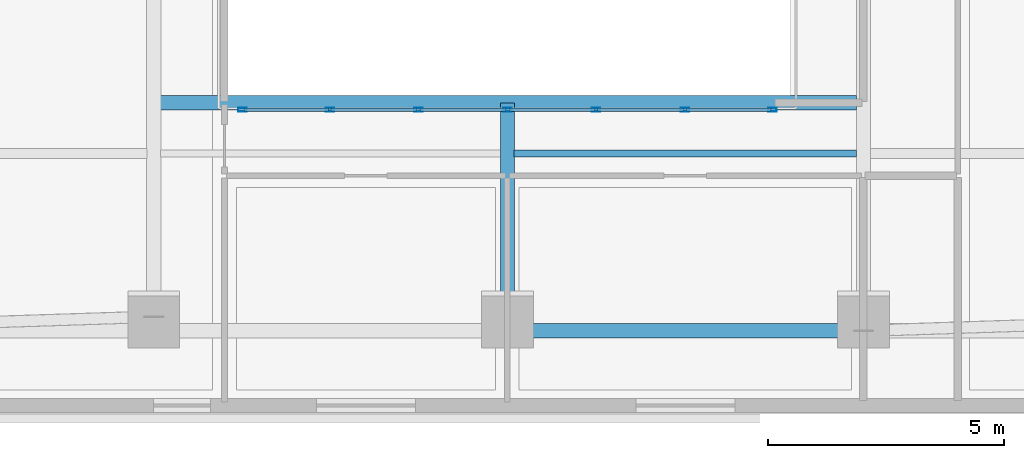
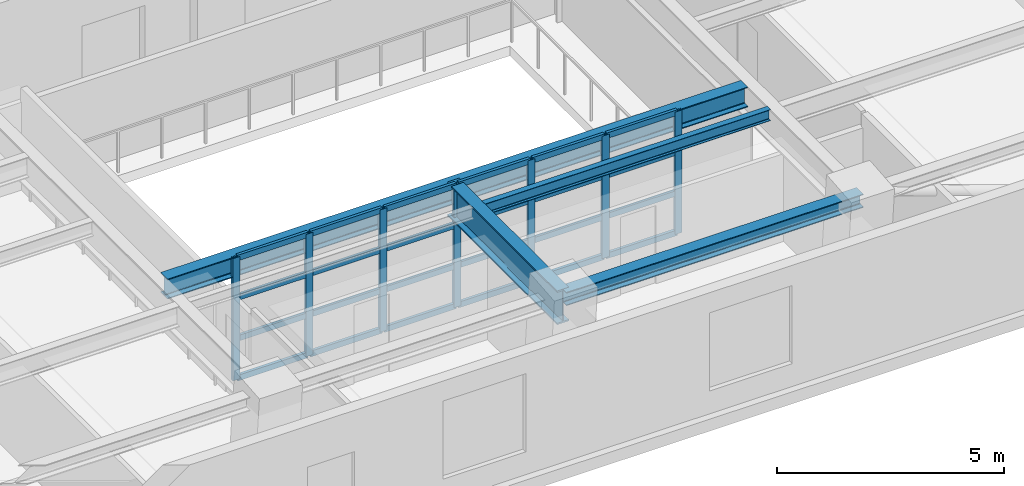
# One storey, part 2 of 11: 31 members, 4 beams, 1 element without a shape of its own.
"""IFC4 building model written with IfcOpenShell, lengths in metres."""

from ifc_helpers import new_model, si_unit, direction, frame, origin, origin_2d, place, context, subcontext, project, spatial, hollow_rectangle, i_section, extrude, material, layer, layer_set, material_profile, profile_set, type_object, element, aggregate, save


model = new_model("IFC4")

# Units and contexts
model_context = context("Model", 3, precision=1e-05, world=origin(), true_north=direction((0.0, 1.0)))
body_context = subcontext(model_context, "Body", "Model", "MODEL_VIEW")
ifc_project = project(units=[si_unit("LENGTHUNIT", "METRE"), si_unit("AREAUNIT", "SQUARE_METRE"), si_unit("VOLUMEUNIT", "CUBIC_METRE"), si_unit("PLANEANGLEUNIT", "RADIAN"), si_unit("MASSUNIT", "GRAM", prefix="KILO")], contexts=[model_context])

# Site, building, storey
site_placement = place(None, origin())
site = spatial("IfcSite", under=ifc_project, at=site_placement, CompositionType="ELEMENT")
building_placement = place(site_placement, origin())
building = spatial("IfcBuilding", under=site, at=building_placement, Name="Zarnavel Station Tower", CompositionType="ELEMENT")
storey_placement = place(building_placement, frame((0.0, 0.0, 151.89990234375)))
storey = spatial("IfcBuildingStorey", under=building, at=storey_placement, Name="L41", CompositionType="ELEMENT", Elevation=151.89990234375)

# Curtain wall, members
ifc_material_1 = material(Name="Aluminium Dark Anodised and Solar-Control Glass", Category="aluminium")
ifc_layer = layer(ifc_material_1, 0.179931640625)
ifc_layer_set = layer_set([ifc_layer], Name="CWS4")
curtain_wall_type = type_object("IfcCurtainWallType", Name="CWS4", PredefinedType="NOTDEFINED", material=ifc_layer_set)
curtain_wall_placement = place(storey_placement, origin())
curtain_wall = element("IfcCurtainWall", 1, at=curtain_wall_placement, inside=storey, type_object=curtain_wall_type, Name="L41 Curtain Wall CWS4-L41-AS", PredefinedType="NOTDEFINED")
ifc_material_2 = material(Name="Steel S355J2 (Black Fluoropolymer Coated)", Category="steel")
ifc_material_profile_1 = material_profile(ifc_material_2, hollow_rectangle(XDim=0.080078125, YDim=0.179931640625, WallThickness=0.00634765625, at=origin_2d()), Name="RHS180x80x6.3")
ifc_profile_set_1 = profile_set([ifc_material_profile_1], Name="Steel S355J2 (Black Fluoropolymer Coated)")
member_type_1 = type_object("IfcMemberType", Name="CWS4_MUL", PredefinedType="MULLION", material=ifc_profile_set_1)
member_1_placement = place(storey_placement, frame((23.179931640625, 16.85009765625, 0.0), z_axis=(0.0, 0.0, 1.0), x_axis=(0.0, 1.0, 0.0)))
member_1 = element("IfcMember", 2, at=member_1_placement, type_object=member_type_1, Name="CW4 mullion 1", PredefinedType="MULLION", context=body_context, shape_type="SweptSolid", body=[
    extrude(hollow_rectangle(XDim=0.080078125, YDim=0.179931640625, WallThickness=0.00634765625, at=origin_2d()), origin(), (0.0, 0.0, 1.0), 3.2900390625),
])
member_2_placement = place(storey_placement, frame((25.033447265625, 16.85009765625, 0.0), z_axis=(0.0, 0.0, 1.0), x_axis=(0.0, 1.0, 0.0)))
member_2 = element("IfcMember", 3, at=member_2_placement, type_object=member_type_1, Name="CW4 mullion 2", PredefinedType="MULLION", context=body_context, shape_type="SweptSolid", body=[
    extrude(hollow_rectangle(XDim=0.080078125, YDim=0.179931640625, WallThickness=0.00634765625, at=origin_2d()), origin(), (0.0, 0.0, 1.0), 3.2900390625),
])
member_3_placement = place(storey_placement, frame((26.916748046875, 16.85009765625, 0.0), z_axis=(0.0, 0.0, 1.0), x_axis=(0.0, 1.0, 0.0)))
member_3 = element("IfcMember", 4, at=member_3_placement, type_object=member_type_1, Name="CW4 mullion 3", PredefinedType="MULLION", context=body_context, shape_type="SweptSolid", body=[
    extrude(hollow_rectangle(XDim=0.080078125, YDim=0.179931640625, WallThickness=0.00634765625, at=origin_2d()), origin(), (0.0, 0.0, 1.0), 3.2900390625),
])
member_4_placement = place(storey_placement, frame((28.800048828125, 16.85009765625, 0.0), z_axis=(0.0, 0.0, 1.0), x_axis=(0.0, 1.0, 0.0)))
member_4 = element("IfcMember", 5, at=member_4_placement, type_object=member_type_1, Name="CW4 mullion 4", PredefinedType="MULLION", context=body_context, shape_type="SweptSolid", body=[
    extrude(hollow_rectangle(XDim=0.080078125, YDim=0.179931640625, WallThickness=0.00634765625, at=origin_2d()), origin(), (0.0, 0.0, 1.0), 3.2900390625),
])
member_5_placement = place(storey_placement, frame((30.683349609375, 16.85009765625, 0.0), z_axis=(0.0, 0.0, 1.0), x_axis=(0.0, 1.0, 0.0)))
member_5 = element("IfcMember", 6, at=member_5_placement, type_object=member_type_1, Name="CW4 mullion 5", PredefinedType="MULLION", context=body_context, shape_type="SweptSolid", body=[
    extrude(hollow_rectangle(XDim=0.080078125, YDim=0.179931640625, WallThickness=0.00634765625, at=origin_2d()), origin(), (0.0, 0.0, 1.0), 3.2900390625),
])
member_6_placement = place(storey_placement, frame((32.566650390625, 16.85009765625, 0.0), z_axis=(0.0, 0.0, 1.0), x_axis=(0.0, 1.0, 0.0)))
member_6 = element("IfcMember", 7, at=member_6_placement, type_object=member_type_1, Name="CW4 mullion 6", PredefinedType="MULLION", context=body_context, shape_type="SweptSolid", body=[
    extrude(hollow_rectangle(XDim=0.080078125, YDim=0.179931640625, WallThickness=0.00634765625, at=origin_2d()), origin(), (0.0, 0.0, 1.0), 3.2900390625),
])
member_7_placement = place(storey_placement, frame((34.419921875, 16.85009765625, 0.0), z_axis=(0.0, 0.0, 1.0), x_axis=(0.0, 1.0, 0.0)))
member_7 = element("IfcMember", 8, at=member_7_placement, type_object=member_type_1, Name="CW4 mullion 7", PredefinedType="MULLION", context=body_context, shape_type="SweptSolid", body=[
    extrude(hollow_rectangle(XDim=0.080078125, YDim=0.179931640625, WallThickness=0.00634765625, at=origin_2d()), origin(), (0.0, 0.0, 1.0), 3.2900390625),
])
ifc_material_3 = material(Name="Steel S355J2 (Black Fluoropolymer Coated)", Category="steel")
ifc_material_profile_2 = material_profile(ifc_material_3, hollow_rectangle(XDim=0.074951171875, YDim=0.14990234375, WallThickness=0.00634765625, at=origin_2d()), Name="RHS150x75x6.3")
ifc_profile_set_2 = profile_set([ifc_material_profile_2], Name="Steel S355J2 (Black Fluoropolymer Coated)")
member_type_2 = type_object("IfcMemberType", Name="CWS4_TRN", PredefinedType="USERDEFINED", material=ifc_profile_set_2)
member_8_placement = place(storey_placement, frame((23.2099609375, 16.85009765625, 0.030029296875), z_axis=(1.0, 0.0, 0.0), x_axis=(0.0, 1.0, 0.0)))
member_8 = element("IfcMember", 9, at=member_8_placement, type_object=member_type_2, Name="CW4 transom 1.1", ObjectType="TRANSOM", PredefinedType="USERDEFINED", context=body_context, shape_type="SweptSolid", body=[
    extrude(hollow_rectangle(XDim=0.074951171875, YDim=0.14990234375, WallThickness=0.00634765625, at=origin_2d()), origin(), (0.0, 0.0, 1.0), 1.79345703125),
])
member_9_placement = place(storey_placement, frame((23.2099609375, 16.85009765625, 1.0966796875), z_axis=(1.0, 0.0, 0.0), x_axis=(0.0, 1.0, 0.0)))
member_9 = element("IfcMember", 10, at=member_9_placement, type_object=member_type_2, Name="CW4 transom 1.2", ObjectType="TRANSOM", PredefinedType="USERDEFINED", context=body_context, shape_type="SweptSolid", body=[
    extrude(hollow_rectangle(XDim=0.074951171875, YDim=0.14990234375, WallThickness=0.00634765625, at=origin_2d()), origin(), (0.0, 0.0, 1.0), 1.79345703125),
])
member_10_placement = place(storey_placement, frame((23.2099609375, 16.85009765625, 2.193359375), z_axis=(1.0, 0.0, 0.0), x_axis=(0.0, 1.0, 0.0)))
member_10 = element("IfcMember", 11, at=member_10_placement, type_object=member_type_2, Name="CW4 transom 1.3", ObjectType="TRANSOM", PredefinedType="USERDEFINED", context=body_context, shape_type="SweptSolid", body=[
    extrude(hollow_rectangle(XDim=0.074951171875, YDim=0.14990234375, WallThickness=0.00634765625, at=origin_2d()), origin(), (0.0, 0.0, 1.0), 1.79345703125),
])
member_11_placement = place(storey_placement, frame((23.2099609375, 16.85009765625, 3.260009765625), z_axis=(1.0, 0.0, 0.0), x_axis=(0.0, 1.0, 0.0)))
member_11 = element("IfcMember", 12, at=member_11_placement, type_object=member_type_2, Name="CW4 transom 1.4", ObjectType="TRANSOM", PredefinedType="USERDEFINED", context=body_context, shape_type="SweptSolid", body=[
    extrude(hollow_rectangle(XDim=0.074951171875, YDim=0.14990234375, WallThickness=0.00634765625, at=origin_2d()), origin(), (0.0, 0.0, 1.0), 1.79345703125),
])
member_12_placement = place(storey_placement, frame((25.063232421875, 16.85009765625, 0.030029296875), z_axis=(1.0, 0.0, 0.0), x_axis=(0.0, 1.0, 0.0)))
member_12 = element("IfcMember", 13, at=member_12_placement, type_object=member_type_2, Name="CW4 transom 2.1", ObjectType="TRANSOM", PredefinedType="USERDEFINED", context=body_context, shape_type="SweptSolid", body=[
    extrude(hollow_rectangle(XDim=0.074951171875, YDim=0.14990234375, WallThickness=0.00634765625, at=origin_2d()), origin(), (0.0, 0.0, 1.0), 1.823486328125),
])
member_13_placement = place(storey_placement, frame((25.063232421875, 16.85009765625, 1.0966796875), z_axis=(1.0, 0.0, 0.0), x_axis=(0.0, 1.0, 0.0)))
member_13 = element("IfcMember", 14, at=member_13_placement, type_object=member_type_2, Name="CW4 transom 2.2", ObjectType="TRANSOM", PredefinedType="USERDEFINED", context=body_context, shape_type="SweptSolid", body=[
    extrude(hollow_rectangle(XDim=0.074951171875, YDim=0.14990234375, WallThickness=0.00634765625, at=origin_2d()), origin(), (0.0, 0.0, 1.0), 1.823486328125),
])
member_14_placement = place(storey_placement, frame((25.063232421875, 16.85009765625, 2.193359375), z_axis=(1.0, 0.0, 0.0), x_axis=(0.0, 1.0, 0.0)))
member_14 = element("IfcMember", 15, at=member_14_placement, type_object=member_type_2, Name="CW4 transom 2.3", ObjectType="TRANSOM", PredefinedType="USERDEFINED", context=body_context, shape_type="SweptSolid", body=[
    extrude(hollow_rectangle(XDim=0.074951171875, YDim=0.14990234375, WallThickness=0.00634765625, at=origin_2d()), origin(), (0.0, 0.0, 1.0), 1.823486328125),
])
member_15_placement = place(storey_placement, frame((25.063232421875, 16.85009765625, 3.260009765625), z_axis=(1.0, 0.0, 0.0), x_axis=(0.0, 1.0, 0.0)))
member_15 = element("IfcMember", 16, at=member_15_placement, type_object=member_type_2, Name="CW4 transom 2.4", ObjectType="TRANSOM", PredefinedType="USERDEFINED", context=body_context, shape_type="SweptSolid", body=[
    extrude(hollow_rectangle(XDim=0.074951171875, YDim=0.14990234375, WallThickness=0.00634765625, at=origin_2d()), origin(), (0.0, 0.0, 1.0), 1.823486328125),
])
member_16_placement = place(storey_placement, frame((26.94677734375, 16.85009765625, 0.030029296875), z_axis=(1.0, 0.0, 0.0), x_axis=(0.0, 1.0, 0.0)))
member_16 = element("IfcMember", 17, at=member_16_placement, type_object=member_type_2, Name="CW4 transom 3.1", ObjectType="TRANSOM", PredefinedType="USERDEFINED", context=body_context, shape_type="SweptSolid", body=[
    extrude(hollow_rectangle(XDim=0.074951171875, YDim=0.14990234375, WallThickness=0.00634765625, at=origin_2d()), origin(), (0.0, 0.0, 1.0), 1.8232421875),
])
member_17_placement = place(storey_placement, frame((26.94677734375, 16.85009765625, 1.0966796875), z_axis=(1.0, 0.0, 0.0), x_axis=(0.0, 1.0, 0.0)))
member_17 = element("IfcMember", 18, at=member_17_placement, type_object=member_type_2, Name="CW4 transom 3.2", ObjectType="TRANSOM", PredefinedType="USERDEFINED", context=body_context, shape_type="SweptSolid", body=[
    extrude(hollow_rectangle(XDim=0.074951171875, YDim=0.14990234375, WallThickness=0.00634765625, at=origin_2d()), origin(), (0.0, 0.0, 1.0), 1.8232421875),
])
member_18_placement = place(storey_placement, frame((26.94677734375, 16.85009765625, 2.193359375), z_axis=(1.0, 0.0, 0.0), x_axis=(0.0, 1.0, 0.0)))
member_18 = element("IfcMember", 19, at=member_18_placement, type_object=member_type_2, Name="CW4 transom 3.3", ObjectType="TRANSOM", PredefinedType="USERDEFINED", context=body_context, shape_type="SweptSolid", body=[
    extrude(hollow_rectangle(XDim=0.074951171875, YDim=0.14990234375, WallThickness=0.00634765625, at=origin_2d()), origin(), (0.0, 0.0, 1.0), 1.8232421875),
])
member_19_placement = place(storey_placement, frame((26.94677734375, 16.85009765625, 3.260009765625), z_axis=(1.0, 0.0, 0.0), x_axis=(0.0, 1.0, 0.0)))
member_19 = element("IfcMember", 20, at=member_19_placement, type_object=member_type_2, Name="CW4 transom 3.4", ObjectType="TRANSOM", PredefinedType="USERDEFINED", context=body_context, shape_type="SweptSolid", body=[
    extrude(hollow_rectangle(XDim=0.074951171875, YDim=0.14990234375, WallThickness=0.00634765625, at=origin_2d()), origin(), (0.0, 0.0, 1.0), 1.8232421875),
])
member_20_placement = place(storey_placement, frame((28.830078125, 16.85009765625, 0.030029296875), z_axis=(1.0, 0.0, 0.0), x_axis=(0.0, 1.0, 0.0)))
member_20 = element("IfcMember", 21, at=member_20_placement, type_object=member_type_2, Name="CW4 transom 4.1", ObjectType="TRANSOM", PredefinedType="USERDEFINED", context=body_context, shape_type="SweptSolid", body=[
    extrude(hollow_rectangle(XDim=0.074951171875, YDim=0.14990234375, WallThickness=0.00634765625, at=origin_2d()), origin(), (0.0, 0.0, 1.0), 1.8232421875),
])
member_21_placement = place(storey_placement, frame((28.830078125, 16.85009765625, 1.0966796875), z_axis=(1.0, 0.0, 0.0), x_axis=(0.0, 1.0, 0.0)))
member_21 = element("IfcMember", 22, at=member_21_placement, type_object=member_type_2, Name="CW4 transom 4.2", ObjectType="TRANSOM", PredefinedType="USERDEFINED", context=body_context, shape_type="SweptSolid", body=[
    extrude(hollow_rectangle(XDim=0.074951171875, YDim=0.14990234375, WallThickness=0.00634765625, at=origin_2d()), origin(), (0.0, 0.0, 1.0), 1.8232421875),
])
member_22_placement = place(storey_placement, frame((28.830078125, 16.85009765625, 2.193359375), z_axis=(1.0, 0.0, 0.0), x_axis=(0.0, 1.0, 0.0)))
member_22 = element("IfcMember", 23, at=member_22_placement, type_object=member_type_2, Name="CW4 transom 4.3", ObjectType="TRANSOM", PredefinedType="USERDEFINED", context=body_context, shape_type="SweptSolid", body=[
    extrude(hollow_rectangle(XDim=0.074951171875, YDim=0.14990234375, WallThickness=0.00634765625, at=origin_2d()), origin(), (0.0, 0.0, 1.0), 1.8232421875),
])
member_23_placement = place(storey_placement, frame((28.830078125, 16.85009765625, 3.260009765625), z_axis=(1.0, 0.0, 0.0), x_axis=(0.0, 1.0, 0.0)))
member_23 = element("IfcMember", 24, at=member_23_placement, type_object=member_type_2, Name="CW4 transom 4.4", ObjectType="TRANSOM", PredefinedType="USERDEFINED", context=body_context, shape_type="SweptSolid", body=[
    extrude(hollow_rectangle(XDim=0.074951171875, YDim=0.14990234375, WallThickness=0.00634765625, at=origin_2d()), origin(), (0.0, 0.0, 1.0), 1.8232421875),
])
member_24_placement = place(storey_placement, frame((30.71337890625, 16.85009765625, 0.030029296875), z_axis=(1.0, 0.0, 0.0), x_axis=(0.0, 1.0, 0.0)))
member_24 = element("IfcMember", 25, at=member_24_placement, type_object=member_type_2, Name="CW4 transom 5.1", ObjectType="TRANSOM", PredefinedType="USERDEFINED", context=body_context, shape_type="SweptSolid", body=[
    extrude(hollow_rectangle(XDim=0.074951171875, YDim=0.14990234375, WallThickness=0.00634765625, at=origin_2d()), origin(), (0.0, 0.0, 1.0), 1.8232421875),
])
member_25_placement = place(storey_placement, frame((30.71337890625, 16.85009765625, 1.0966796875), z_axis=(1.0, 0.0, 0.0), x_axis=(0.0, 1.0, 0.0)))
member_25 = element("IfcMember", 26, at=member_25_placement, type_object=member_type_2, Name="CW4 transom 5.2", ObjectType="TRANSOM", PredefinedType="USERDEFINED", context=body_context, shape_type="SweptSolid", body=[
    extrude(hollow_rectangle(XDim=0.074951171875, YDim=0.14990234375, WallThickness=0.00634765625, at=origin_2d()), origin(), (0.0, 0.0, 1.0), 1.8232421875),
])
member_26_placement = place(storey_placement, frame((30.71337890625, 16.85009765625, 2.193359375), z_axis=(1.0, 0.0, 0.0), x_axis=(0.0, 1.0, 0.0)))
member_26 = element("IfcMember", 27, at=member_26_placement, type_object=member_type_2, Name="CW4 transom 5.3", ObjectType="TRANSOM", PredefinedType="USERDEFINED", context=body_context, shape_type="SweptSolid", body=[
    extrude(hollow_rectangle(XDim=0.074951171875, YDim=0.14990234375, WallThickness=0.00634765625, at=origin_2d()), origin(), (0.0, 0.0, 1.0), 1.8232421875),
])
member_27_placement = place(storey_placement, frame((30.71337890625, 16.85009765625, 3.260009765625), z_axis=(1.0, 0.0, 0.0), x_axis=(0.0, 1.0, 0.0)))
member_27 = element("IfcMember", 28, at=member_27_placement, type_object=member_type_2, Name="CW4 transom 5.4", ObjectType="TRANSOM", PredefinedType="USERDEFINED", context=body_context, shape_type="SweptSolid", body=[
    extrude(hollow_rectangle(XDim=0.074951171875, YDim=0.14990234375, WallThickness=0.00634765625, at=origin_2d()), origin(), (0.0, 0.0, 1.0), 1.8232421875),
])
member_28_placement = place(storey_placement, frame((32.5966796875, 16.85009765625, 0.030029296875), z_axis=(1.0, 0.0, 0.0), x_axis=(0.0, 1.0, 0.0)))
member_28 = element("IfcMember", 29, at=member_28_placement, type_object=member_type_2, Name="CW4 transom 6.1", ObjectType="TRANSOM", PredefinedType="USERDEFINED", context=body_context, shape_type="SweptSolid", body=[
    extrude(hollow_rectangle(XDim=0.074951171875, YDim=0.14990234375, WallThickness=0.00634765625, at=origin_2d()), origin(), (0.0, 0.0, 1.0), 1.793212890625),
])
member_29_placement = place(storey_placement, frame((32.5966796875, 16.85009765625, 1.0966796875), z_axis=(1.0, 0.0, 0.0), x_axis=(0.0, 1.0, 0.0)))
member_29 = element("IfcMember", 30, at=member_29_placement, type_object=member_type_2, Name="CW4 transom 6.2", ObjectType="TRANSOM", PredefinedType="USERDEFINED", context=body_context, shape_type="SweptSolid", body=[
    extrude(hollow_rectangle(XDim=0.074951171875, YDim=0.14990234375, WallThickness=0.00634765625, at=origin_2d()), origin(), (0.0, 0.0, 1.0), 1.793212890625),
])
member_30_placement = place(storey_placement, frame((32.5966796875, 16.85009765625, 2.193359375), z_axis=(1.0, 0.0, 0.0), x_axis=(0.0, 1.0, 0.0)))
member_30 = element("IfcMember", 31, at=member_30_placement, type_object=member_type_2, Name="CW4 transom 6.3", ObjectType="TRANSOM", PredefinedType="USERDEFINED", context=body_context, shape_type="SweptSolid", body=[
    extrude(hollow_rectangle(XDim=0.074951171875, YDim=0.14990234375, WallThickness=0.00634765625, at=origin_2d()), origin(), (0.0, 0.0, 1.0), 1.793212890625),
])
member_31_placement = place(storey_placement, frame((32.5966796875, 16.85009765625, 3.260009765625), z_axis=(1.0, 0.0, 0.0), x_axis=(0.0, 1.0, 0.0)))
member_31 = element("IfcMember", 32, at=member_31_placement, type_object=member_type_2, Name="CW4 transom 6.4", ObjectType="TRANSOM", PredefinedType="USERDEFINED", context=body_context, shape_type="SweptSolid", body=[
    extrude(hollow_rectangle(XDim=0.074951171875, YDim=0.14990234375, WallThickness=0.00634765625, at=origin_2d()), origin(), (0.0, 0.0, 1.0), 1.793212890625),
])
aggregate(curtain_wall, [member_1, member_2, member_3, member_4, member_5, member_6, member_7, member_8, member_9, member_10, member_11, member_12, member_13, member_14, member_15, member_16, member_17, member_18, member_19, member_20, member_21, member_22, member_23, member_24, member_25, member_26, member_27, member_28, member_29, member_30, member_31])

# Beams
ifc_material_4 = material(Name="Steel S355J2", Category="steel")
ifc_material_profile_3 = material_profile(ifc_material_4, i_section(OverallWidth=0.300048828125, OverallDepth=0.360107421875, WebThickness=0.012451171875, FlangeThickness=0.0224609375, FilletRadius=0.027099609375, at=origin_2d()), Name="HEB360")
ifc_profile_set_3 = profile_set([ifc_material_profile_3], Name="Steel S355J2")
beam_type_1 = type_object("IfcBeamType", Name="EB_HEB360", PredefinedType="SPANDREL", material=ifc_profile_set_3)
beam_1_placement = place(storey_placement, frame((28.800048828125, 12.164794921875, 3.110107421875), z_axis=(1.0, 0.0, 0.0), x_axis=(0.0, 1.0, 0.0)))
element("IfcBeam", 33, at=beam_1_placement, inside=storey, type_object=beam_type_1, Name="L41 South Raked Spandrel 3", PredefinedType="SPANDREL", context=body_context, shape_type="SweptSolid", body=[
    extrude(i_section(OverallWidth=0.300048828125, OverallDepth=0.360107421875, WebThickness=0.012451171875, FlangeThickness=0.0224609375, FilletRadius=0.027099609375, at=origin_2d()), origin(), (0.0, 0.0, 1.0), 7.550048828125),
])
ifc_material_5 = material(Name="Steel S355J2", Category="steel")
ifc_material_profile_4 = material_profile(ifc_material_5, i_section(OverallWidth=0.300048828125, OverallDepth=0.5400390625, WebThickness=0.012451171875, FlangeThickness=0.02392578125, FilletRadius=0.027099609375, at=origin_2d()), Name="HEA550")
ifc_profile_set_4 = profile_set([ifc_material_profile_4], Name="Steel S355J2")
beam_type_2 = type_object("IfcBeamType", Name="FB_HEA550", PredefinedType="BEAM", material=ifc_profile_set_4)
beam_2_placement = place(storey_placement, frame((21.445068359375, 17.0, 3.02001953125), z_axis=(1.0, 0.0, 0.0), x_axis=(0.0, 1.0, 0.0)))
element("IfcBeam", 34, at=beam_2_placement, inside=storey, type_object=beam_type_2, Name="L41 Atrium South Edge Girder", PredefinedType="BEAM", context=body_context, shape_type="SweptSolid", body=[
    extrude(i_section(OverallWidth=0.300048828125, OverallDepth=0.5400390625, WebThickness=0.012451171875, FlangeThickness=0.02392578125, FilletRadius=0.027099609375, at=origin_2d()), origin(), (0.0, 0.0, 1.0), 14.760009765625),
])
ifc_material_6 = material(Name="Steel S355J2", Category="steel")
ifc_material_profile_5 = material_profile(ifc_material_6, i_section(OverallWidth=0.14990234375, OverallDepth=0.300048828125, WebThickness=0.007080078125, FlangeThickness=0.0107421875, FilletRadius=0.014892578125, at=origin_2d()), Name="IPE300")
ifc_profile_set_5 = profile_set([ifc_material_profile_5], Name="Steel S355J2")
beam_type_3 = type_object("IfcBeamType", Name="FJ_IPE300", PredefinedType="JOIST", material=ifc_profile_set_5)
beam_3_placement = place(storey_placement, frame((28.945068359375, 15.923583984375, 3.14013671875), z_axis=(1.0, 0.0, 0.0), x_axis=(0.0, 1.0, 0.0)))
element("IfcBeam", 35, at=beam_3_placement, inside=storey, type_object=beam_type_3, Name="L41 Mid-East Joist 1", PredefinedType="JOIST", context=body_context, shape_type="SweptSolid", body=[
    extrude(i_section(OverallWidth=0.14990234375, OverallDepth=0.300048828125, WebThickness=0.007080078125, FlangeThickness=0.0107421875, FilletRadius=0.014892578125, at=origin_2d()), origin(), (0.0, 0.0, 1.0), 7.260009765625),
])
ifc_material_7 = material(Name="Steel S460M", Category="steel")
ifc_material_profile_6 = material_profile(ifc_material_7, i_section(OverallWidth=0.302001953125, OverallDepth=0.909912109375, WebThickness=0.02099609375, FlangeThickness=0.0400390625, FilletRadius=0.030029296875, at=origin_2d()), Name="HEM900")
ifc_profile_set_6 = profile_set([ifc_material_profile_6], Name="Steel S460M")
beam_type_4 = type_object("IfcBeamType", Name="TG_HEM900", PredefinedType="USERDEFINED", material=ifc_profile_set_6)
beam_4_placement = place(storey_placement, frame((28.800048828125, 12.164794921875, 2.835205078125), z_axis=(0.0, 1.0, 0.0), x_axis=(-1.0, 0.0, 0.0)))
element("IfcBeam", 36, at=beam_4_placement, inside=storey, type_object=beam_type_4, Name="L41 Central Atrium-South Girder", ObjectType="GIRDER", PredefinedType="USERDEFINED", context=body_context, shape_type="SweptSolid", body=[
    extrude(i_section(OverallWidth=0.302001953125, OverallDepth=0.909912109375, WebThickness=0.02099609375, FlangeThickness=0.0400390625, FilletRadius=0.030029296875, at=origin_2d()), origin(), (0.0, 0.0, 1.0), 4.835205078125),
])

save(model, "model.ifc")
